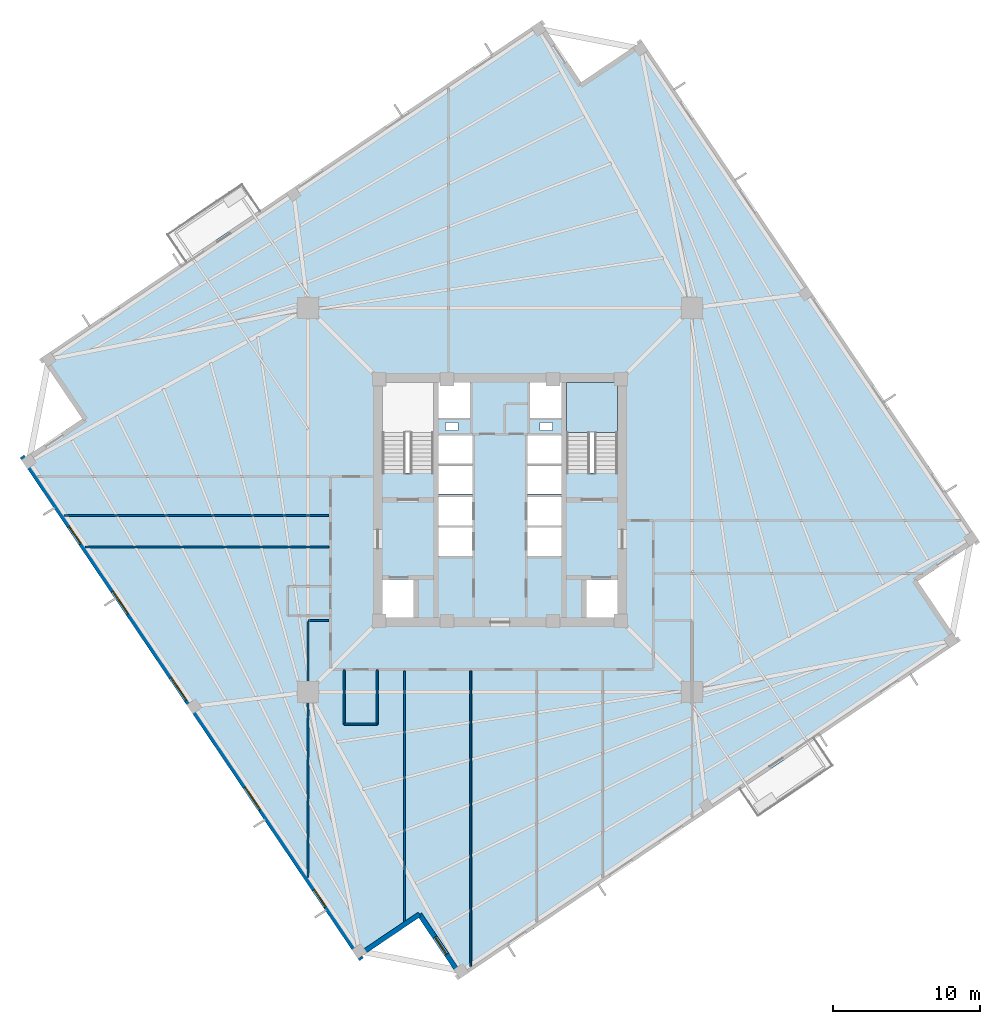
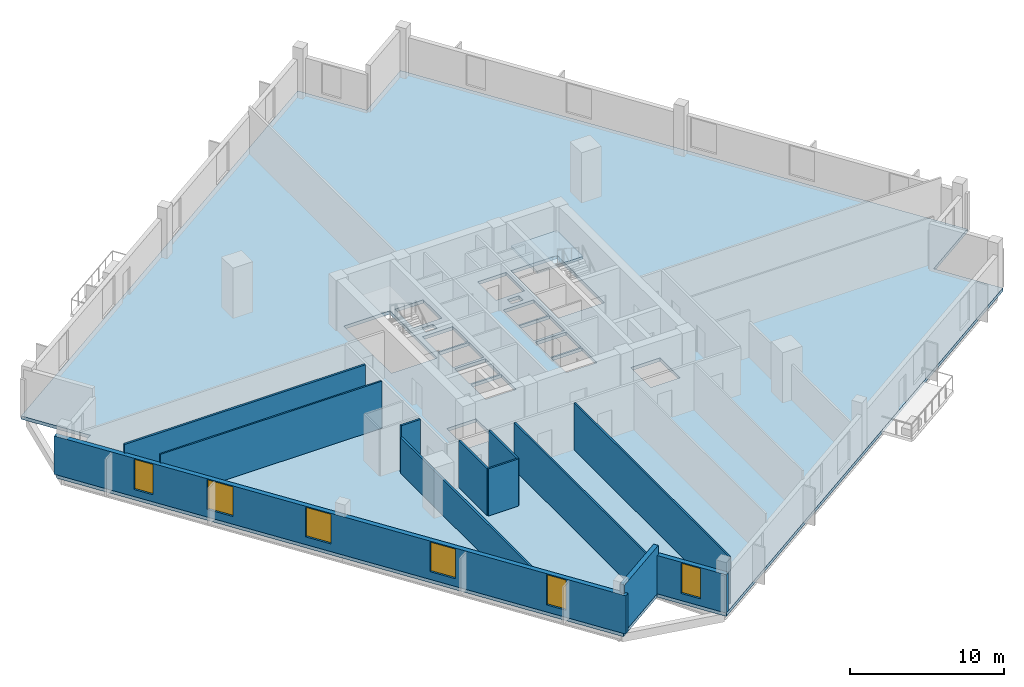
# One storey, part 2 of 9: 12 walls, 6 windows, 2 slabs, 6 openings, 1 element without a shape of its own.
"""IFC4 building model written with IfcOpenShell, lengths in metres."""

import ifcopenshell
import ifcopenshell.guid

model = None  # the IFC model being written
_history = None  # IfcOwnerHistory: only IFC2X3 demands one
_inside = {}  # id of a spatial element -> (the spatial element, [elements in it])
_under = {}  # id of a project, library or spatial element -> (it, [spatial elements below it])
_declared = {}  # id of a project -> (the project, [libraries it declares])
_typed = {}  # id of a type object -> (the type object, [elements of that type])
_made_of = {}  # id of a material, layer set ... -> (it, [elements and type objects made of it])


def new_model(schema):
    """Start an empty IFC model of exactly this schema.

    Asked for "IFC4X3", IfcOpenShell would pick the latest addendum, in which some entities
    have other attributes; the version numbers below select the first issue.
    IFC2X3 requires an IfcOwnerHistory on every rooted entity: one is made here for all.
    """
    global model, _history
    if schema == "IFC4X3":
        model = ifcopenshell.file(schema_version=(4, 3, 0, 0))
    else:
        model = ifcopenshell.file(schema=schema)
    _inside.clear()
    _under.clear()
    _declared.clear()
    _typed.clear()
    _made_of.clear()
    _history = None
    if model.schema == "IFC2X3":
        org = make("IfcOrganization", Name="unknown")
        user = make(
            "IfcPersonAndOrganization",
            ThePerson=make("IfcPerson", FamilyName="unknown"),
            TheOrganization=org,
        )
        app = make(
            "IfcApplication",
            ApplicationDeveloper=org,
            Version="unknown",
            ApplicationFullName="unknown",
            ApplicationIdentifier="unknown",
        )
        _history = make(
            "IfcOwnerHistory",
            OwningUser=user,
            OwningApplication=app,
            ChangeAction="ADDED",
            CreationDate=0,
        )
    return model


def make(cls, **values):
    """One entity of the class cls with the attributes given. An attribute that is None is left unset."""
    return model.create_entity(
        cls, **{name: value for name, value in values.items() if value is not None}
    )


def rooted(cls, **values):
    """An entity with a GlobalId (a new one), such as an element, a storey or a relation."""
    return make(cls, GlobalId=ifcopenshell.guid.new(), OwnerHistory=_history, **values)


def si_unit(unit_type, name, prefix=None):
    """IfcSIUnit, for example si_unit("LENGTHUNIT", "METRE", prefix="MILLI")."""
    return make("IfcSIUnit", UnitType=unit_type, Prefix=prefix, Name=name)


def assignment(units):
    """IfcUnitAssignment: the units of a project."""
    return None if units is None else make("IfcUnitAssignment", Units=units)


def point(xyz):
    """IfcCartesianPoint."""
    return None if xyz is None else make("IfcCartesianPoint", Coordinates=xyz)


def direction(xyz):
    """IfcDirection."""
    return None if xyz is None else make("IfcDirection", DirectionRatios=xyz)


def frame(location, z_axis=None, x_axis=None):
    """IfcAxis2Placement3D, a coordinate frame: its origin and axes. An axis left out is left unset."""
    return make(
        "IfcAxis2Placement3D",
        Location=point(location),
        Axis=direction(z_axis),
        RefDirection=direction(x_axis),
    )


def frame_2d(location, x_axis=None):
    """IfcAxis2Placement2D, a coordinate frame in the plane: its origin and x axis."""
    return make(
        "IfcAxis2Placement2D", Location=point(location), RefDirection=direction(x_axis)
    )


def origin():
    """The frame at (0, 0, 0) with its axes left unset."""
    return frame((0.0, 0.0, 0.0))


def place(relative_to, where):
    """IfcLocalPlacement: puts the frame where relative to a parent placement (None: the world)."""
    return make(
        "IfcLocalPlacement", PlacementRelTo=relative_to, RelativePlacement=where
    )


def context(
    kind, dimensions, precision=None, world=None, true_north=None, identifier=None
):
    """IfcGeometricRepresentationContext, for example the 3D "Model" context."""
    return make(
        "IfcGeometricRepresentationContext",
        ContextIdentifier=identifier,
        ContextType=kind,
        CoordinateSpaceDimension=dimensions,
        Precision=precision,
        WorldCoordinateSystem=world,
        TrueNorth=true_north,
    )


def subcontext(parent, identifier, kind, view, scale=None):
    """IfcGeometricRepresentationSubContext, for example "Body" below "Model"."""
    return make(
        "IfcGeometricRepresentationSubContext",
        ContextIdentifier=identifier,
        ContextType=kind,
        ParentContext=parent,
        TargetScale=scale,
        TargetView=view,
    )


def project(units=None, contexts=None):
    """IfcProject with its units and contexts."""
    return rooted(
        "IfcProject",
        Name="project",
        RepresentationContexts=contexts,
        UnitsInContext=assignment(units),
    )


def spatial(cls, under=None, at=None, **own):
    """A site, building, storey or space (cls), placed at a placement, below another one or the project."""
    s = rooted(cls, ObjectPlacement=at, **own)
    if under is not None:
        _under.setdefault(under.id(), (under, []))[1].append(s)
    return s


def polyline(points):
    """IfcPolyline through the points."""
    return make("IfcPolyline", Points=[point(p) for p in points])


def profile(cls, at=None, kind="AREA", **sizes):
    """A parametric profile (cls). Its sizes go by their IFC names, for example OverallWidth=200.0."""
    return make(cls, ProfileType=kind, Position=at, **sizes)


def rectangle(**sizes):
    """IfcRectangleProfileDef."""
    return profile("IfcRectangleProfileDef", **sizes)


def outline(outer, holes=None, kind="AREA"):
    """IfcArbitraryClosedProfileDef: a profile drawn as a closed curve; with holes, ...WithVoids."""
    if holes is None:
        return make("IfcArbitraryClosedProfileDef", ProfileType=kind, OuterCurve=outer)
    return make(
        "IfcArbitraryProfileDefWithVoids",
        ProfileType=kind,
        OuterCurve=outer,
        InnerCurves=holes,
    )


def extrude(swept, where, along, depth):
    """IfcExtrudedAreaSolid: the profile swept, set in the frame where, extruded along a direction by depth."""
    return make(
        "IfcExtrudedAreaSolid",
        SweptArea=swept,
        Position=where,
        ExtrudedDirection=direction(along),
        Depth=depth,
    )


def shape(context_of_items, identifier, shape_type, items):
    """IfcShapeRepresentation: the items that make up one representation, for example the "Body"."""
    return make(
        "IfcShapeRepresentation",
        ContextOfItems=context_of_items,
        RepresentationIdentifier=identifier,
        RepresentationType=shape_type,
        Items=items,
    )


def source(mapping_origin, context_of_items, identifier, shape_type, items):
    """IfcRepresentationMap: a shape defined once, which mapped items show again and again."""
    return make(
        "IfcRepresentationMap",
        MappingOrigin=mapping_origin,
        MappedRepresentation=shape(context_of_items, identifier, shape_type, items),
    )


def transform(
    local_origin,
    x_axis=None,
    y_axis=None,
    z_axis=None,
    scale=None,
    scale2=None,
    scale3=None,
    uniform=True,
):
    """IfcCartesianTransformationOperator3D, or its non-uniform kind. x_axis, y_axis, z_axis: its Axis1, 2, 3."""
    if uniform:
        return make(
            "IfcCartesianTransformationOperator3D",
            Axis1=direction(x_axis),
            Axis2=direction(y_axis),
            LocalOrigin=point(local_origin),
            Scale=scale,
            Axis3=direction(z_axis),
        )
    return make(
        "IfcCartesianTransformationOperator3DnonUniform",
        Axis1=direction(x_axis),
        Axis2=direction(y_axis),
        LocalOrigin=point(local_origin),
        Scale=scale,
        Axis3=direction(z_axis),
        Scale2=scale2,
        Scale3=scale3,
    )


def mapped(mapping_source, mapping_target):
    """IfcMappedItem: shows the shape of a source again, moved by a transform."""
    return make(
        "IfcMappedItem", MappingSource=mapping_source, MappingTarget=mapping_target
    )


def material(Name=None, Category=None):
    """IfcMaterial."""
    return make("IfcMaterial", Name=Name, Category=Category)


def layer(
    of_material, thickness, ventilated=None, Name=None, Category=None, Priority=None
):
    """IfcMaterialLayer: one layer of a wall or slab, of a material (None: an air gap)."""
    return make(
        "IfcMaterialLayer",
        Material=of_material,
        LayerThickness=thickness,
        IsVentilated=ventilated,
        Name=Name,
        Category=Category,
        Priority=Priority,
    )


def layer_set(layers, Name=None):
    """IfcMaterialLayerSet."""
    return make("IfcMaterialLayerSet", MaterialLayers=layers, LayerSetName=Name)


def made_of(thing, what):
    """Note that an element or type object is made of a material, layer set ...; save() writes the relation."""
    if what is not None:
        _made_of.setdefault(what.id(), (what, []))[1].append(thing)
    return thing


def type_object(cls, material=None, **own):
    """A type object (cls), such as IfcWallType, which elements share."""
    return made_of(rooted(cls, **own), material)


def element(
    cls,
    number,
    at=None,
    inside=None,
    cuts=None,
    type_object=None,
    material=None,
    context=None,
    identifier="Body",
    shape_type=None,
    held_by="IfcProductDefinitionShape",
    body=None,
    shapes=None,
    **own,
):
    """One element of the class cls, such as IfcWall. Its Tag is "e" and its number.

    at: its placement. inside: the storey or other place that contains it. cuts: it is an
    opening in that element (IfcRelVoidsElement). A single representation is given by context,
    identifier, shape_type and body (its items); several are given by shapes. held_by: the class
    of the entity that holds the representations. save() writes the other relations.
    """
    e = rooted(cls, Tag="e%d" % number, ObjectPlacement=at, **own)
    if body is not None:
        shapes = [shape(context, identifier, shape_type, body)]
    if shapes is not None:
        e.Representation = make(held_by, Representations=shapes)
    if inside is not None:
        _inside.setdefault(inside.id(), (inside, []))[1].append(e)
    if cuts is not None:
        rooted(
            "IfcRelVoidsElement", RelatingBuildingElement=cuts, RelatedOpeningElement=e
        )
    if type_object is not None:
        _typed.setdefault(type_object.id(), (type_object, []))[1].append(e)
    return made_of(e, material)


def fill(opening, filler):
    """IfcRelFillsElement: the door or window that sits in an opening."""
    return rooted(
        "IfcRelFillsElement",
        RelatingOpeningElement=opening,
        RelatedBuildingElement=filler,
    )


def aggregate(whole, parts):
    """IfcRelAggregates: a whole, such as a stair, and the parts it consists of."""
    return rooted("IfcRelAggregates", RelatingObject=whole, RelatedObjects=parts)


def save(model, path):
    """Write the relations noted so far, then the file.

    IfcRelAggregates (storeys below a building ...), IfcRelContainedInSpatialStructure (elements
    in a storey), IfcRelDefinesByType, IfcRelAssociatesMaterial and IfcRelDeclares: one each for
    every whole, place, type object, material and project.
    """
    for whole, parts in _under.values():
        aggregate(whole, parts)
    for where, things in _inside.values():
        rooted(
            "IfcRelContainedInSpatialStructure",
            RelatedElements=things,
            RelatingStructure=where,
        )
    for kind, things in _typed.values():
        rooted("IfcRelDefinesByType", RelatedObjects=things, RelatingType=kind)
    for what, things in _made_of.values():
        rooted("IfcRelAssociatesMaterial", RelatedObjects=things, RelatingMaterial=what)
    for by, libraries in _declared.values():
        rooted("IfcRelDeclares", RelatingContext=by, RelatedDefinitions=libraries)
    model.write(path)


model = new_model("IFC4")

# Units and contexts
model_context = context("Model", 3, precision=1e-05, world=origin(), true_north=direction((0.0, 1.0)))
body_context = subcontext(model_context, "Body", "Model", "MODEL_VIEW")
ifc_project = project(units=[si_unit("LENGTHUNIT", "METRE"), si_unit("AREAUNIT", "SQUARE_METRE"), si_unit("VOLUMEUNIT", "CUBIC_METRE"), si_unit("PLANEANGLEUNIT", "RADIAN"), si_unit("MASSUNIT", "GRAM", prefix="KILO"), si_unit("THERMODYNAMICTEMPERATUREUNIT", "KELVIN")], contexts=[model_context])

# Site, building, storey
site_placement = place(None, origin())
site = spatial("IfcSite", under=ifc_project, at=site_placement, CompositionType="ELEMENT")
building_placement = place(site_placement, origin())
building = spatial("IfcBuilding", under=site, at=building_placement, Name="Kosmvard Interchange Tower", CompositionType="ELEMENT")
storey_placement = place(building_placement, frame((0.0, 0.0, 160.39990234375)))
storey = spatial("IfcBuildingStorey", under=building, at=storey_placement, Name="L38", CompositionType="ELEMENT", Elevation=160.39990234375)

# Slab
ifc_material_1 = material(Name="Concrete C50/60", Category="concrete")
ifc_layer_1 = layer(ifc_material_1, 0.260009765625, Name="Concrete C50/60")
ifc_layer_set_1 = layer_set([ifc_layer_1], Name="Concrete C50/60")
slab_type_1 = type_object("IfcSlabType", Name="Mid-Rise Office Composite Slab 260 C50/60", PredefinedType="FLOOR", material=ifc_layer_set_1)
slab_1_placement = place(storey_placement, frame((0.0, 0.0, -0.260009765625)))
element("IfcSlab", 1, at=slab_1_placement, inside=storey, type_object=slab_type_1, Name="L38 Structural Floor Slab", PredefinedType="FLOOR", context=body_context, shape_type="SweptSolid", body=[
    extrude(outline(polyline([(-2.73583984375, -32.60400390625), (31.254638671875, -9.677001953125), (28.458740234375, -5.53173828125), (32.60400390625, -2.73583984375), (9.677001953125, 31.254638671875), (5.53173828125, 28.458740234375), (2.73583984375, 32.60400390625), (-31.254638671875, 9.677001953125), (-28.458740234375, 5.53173828125), (-32.60400390625, 2.73583984375), (-9.677001953125, -31.254638671875), (-5.53173828125, -28.458740234375), (-2.73583984375, -32.60400390625)]), holes=[polyline([(-8.0, 1.8349609375), (-4.5400390625, 1.8349609375), (-4.5400390625, 8.0), (-8.0, 8.0), (-8.0, 1.8349609375)]), polyline([(4.5400390625, 1.8349609375), (8.0, 1.8349609375), (8.0, 8.0), (4.5400390625, 8.0), (4.5400390625, 1.8349609375)]), polyline([(-8.0, -8.0), (-5.800048828125, -8.0), (-5.800048828125, -5.39990234375), (-8.0, -5.39990234375), (-8.0, -8.0)]), polyline([(5.800048828125, -8.0), (8.0, -8.0), (8.0, -5.39990234375), (5.800048828125, -5.39990234375), (5.800048828125, -8.0)]), polyline([(-4.179931640625, -3.800048828125), (-1.8798828125, -3.800048828125), (-1.8798828125, -1.860107421875), (-4.179931640625, -1.860107421875), (-4.179931640625, -3.800048828125)]), polyline([(-4.179931640625, -1.739990234375), (-1.8798828125, -1.739990234375), (-1.8798828125, 0.199951171875), (-4.179931640625, 0.199951171875), (-4.179931640625, -1.739990234375)]), polyline([(1.8798828125, -3.800048828125), (4.179931640625, -3.800048828125), (4.179931640625, -1.860107421875), (1.8798828125, -1.860107421875), (1.8798828125, -3.800048828125)]), polyline([(1.8798828125, -1.739990234375), (4.179931640625, -1.739990234375), (4.179931640625, 0.199951171875), (1.8798828125, 0.199951171875), (1.8798828125, -1.739990234375)]), polyline([(-4.179931640625, 0.39990234375), (-1.8798828125, 0.39990234375), (-1.8798828125, 2.340087890625), (-4.179931640625, 2.340087890625), (-4.179931640625, 0.39990234375)]), polyline([(-4.179931640625, 2.4599609375), (-1.8798828125, 2.4599609375), (-1.8798828125, 4.39990234375), (-4.179931640625, 4.39990234375), (-4.179931640625, 2.4599609375)]), polyline([(1.8798828125, 0.39990234375), (4.179931640625, 0.39990234375), (4.179931640625, 2.340087890625), (1.8798828125, 2.340087890625), (1.8798828125, 0.39990234375)]), polyline([(1.8798828125, 2.4599609375), (4.179931640625, 2.4599609375), (4.179931640625, 4.39990234375), (1.8798828125, 4.39990234375), (1.8798828125, 2.4599609375)]), polyline([(-4.179931640625, 5.60009765625), (-2.0400390625, 5.60009765625), (-2.0400390625, 8.0), (-4.179931640625, 8.0), (-4.179931640625, 5.60009765625)]), polyline([(2.0400390625, 5.60009765625), (4.179931640625, 5.60009765625), (4.179931640625, 8.0), (2.0400390625, 8.0), (2.0400390625, 5.60009765625)]), polyline([(-3.715087890625, 4.739990234375), (-2.864990234375, 4.739990234375), (-2.864990234375, 5.2900390625), (-3.715087890625, 5.2900390625), (-3.715087890625, 4.739990234375)]), polyline([(2.715087890625, 4.739990234375), (3.56494140625, 4.739990234375), (3.56494140625, 5.2900390625), (2.715087890625, 5.2900390625), (2.715087890625, 4.739990234375)])]), origin(), (0.0, 0.0, 1.0), 0.260009765625),
])

# Stair, slab
stair_type = type_object("IfcStairType", Name="Dog-Leg Core Exit Stair H4000 C50/60", PredefinedType="HALF_TURN_STAIR", material=ifc_material_1)
stair_placement = place(storey_placement, origin())
stair = element("IfcStair", 2, at=stair_placement, inside=storey, type_object=stair_type, Name="L38 Protected Exit Stair ST-2", PredefinedType="HALF_TURN_STAIR")
ifc_layer_2 = layer(ifc_material_1, 0.199951171875, Name="Concrete C50/60")
ifc_layer_set_2 = layer_set([ifc_layer_2], Name="Concrete C50/60")
slab_type_2 = type_object("IfcSlabType", Name="Stair Half-Landing Slab 200 C50/60", PredefinedType="LANDING", material=ifc_layer_set_2)
slab_2_placement = place(storey_placement, frame((0.0, 0.0, 1.800048828125)))
slab_2 = element("IfcSlab", 3, at=slab_2_placement, type_object=slab_type_2, Name="ST-2 landing 1", PredefinedType="LANDING", context=body_context, shape_type="SweptSolid", body=[
    extrude(outline(polyline([(8.0, 4.60009765625), (8.0, 8.0), (4.5400390625, 8.0), (4.5400390625, 4.60009765625), (8.0, 4.60009765625)])), origin(), (0.0, 0.0, 1.0), 0.199951171875),
])
aggregate(stair, [slab_2])

# Walls
ifc_material_2 = material(Name="Acoustic gypsum partition system")
ifc_layer_3 = layer(ifc_material_2, 0.14990234375, Name="Acoustic gypsum partition system")
ifc_layer_set_3 = layer_set([ifc_layer_3], Name="Acoustic gypsum partition system")
wall_type_1 = type_object("IfcWallType", Name="Acoustic Suite & Meeting Partition 150", PredefinedType="PARTITIONING", material=ifc_layer_set_3)
wall_1_placement = place(storey_placement, frame((-29.718505859375, -1.050048828125, 0.0), z_axis=(0.0, 0.0, 1.0), x_axis=(1.0, 0.0, 0.0)))
element("IfcWall", 4, at=wall_1_placement, inside=storey, type_object=wall_type_1, Name="L38 Room Partition 02.1", PredefinedType="PARTITIONING", context=body_context, shape_type="SweptSolid", body=[
    extrude(rectangle(XDim=18.073486328125, YDim=0.14990234375, at=frame_2d((9.03662109375, 0.0))), origin(), (0.0, 0.0, 1.0), 3.739990234375),
])
wall_2_placement = place(storey_placement, frame((-11.64501953125, -8.199951171875, 0.0), z_axis=(0.0, 0.0, 1.0), x_axis=(-1.0, 0.0, 0.0)))
element("IfcWall", 5, at=wall_2_placement, inside=storey, type_object=wall_type_1, Name="L38 Room Partition 05.1", PredefinedType="PARTITIONING", context=body_context, shape_type="SweptSolid", body=[
    extrude(rectangle(XDim=1.43603515625, YDim=0.14990234375, at=frame_2d((0.718017578125, 0.0))), origin(), (0.0, 0.0, 1.0), 3.739990234375),
])
wall_3_placement = place(storey_placement, frame((-13.0810546875, -8.27490234375, 0.0), z_axis=(0.0, 0.0, 1.0), x_axis=(0.0, -1.0, 0.0)))
element("IfcWall", 6, at=wall_3_placement, inside=storey, type_object=wall_type_1, Name="L38 Room Partition 06.1", PredefinedType="PARTITIONING", context=body_context, shape_type="SweptSolid", body=[
    extrude(rectangle(XDim=17.44140625, YDim=0.14990234375, at=frame_2d((8.720703125, 0.0))), origin(), (0.0, 0.0, 1.0), 2.840087890625),
])

# Wall, openings, windows
ifc_material_3 = material(Name="Precast concrete C45/55", Category="concrete")
ifc_layer_4 = layer(ifc_material_3, 0.340087890625, Name="Precast concrete C45/55")
ifc_layer_set_4 = layer_set([ifc_layer_4], Name="Precast concrete C45/55")
wall_type_2 = type_object("IfcWallType", Name="Mid Tower Precast Pier Wall 340 C45/55", PredefinedType="STANDARD", material=ifc_layer_set_4)
wall_4_placement = place(storey_placement, frame((-32.55810546875, 2.971923828125, 0.0), z_axis=(0.0, 0.0, 1.0), x_axis=(0.559194910251, -0.829036218961, 0.0)))
wall_4 = element("IfcWall", 7, at=wall_4_placement, inside=storey, type_object=wall_type_2, Name="L38 Precast Facade Wall F-W", PredefinedType="STANDARD", context=body_context, shape_type="SweptSolid", body=[
    extrude(rectangle(XDim=41.340087890625, YDim=0.340087890625, at=frame_2d((20.669921875, 0.0))), origin(), (0.0, 0.0, 1.0), 3.0400390625),
])
opening_1_placement = place(wall_4_placement, frame((5.7607421875, 0.0, 0.56005859375)))
opening_1 = element("IfcOpeningElement", 8, at=opening_1_placement, cuts=wall_4, Name="Opening L38-W16", PredefinedType="OPENING", context=body_context, shape_type="SweptSolid", body=[
    extrude(rectangle(XDim=1.39990234375, YDim=2.39990234375, at=frame_2d((0.699951171875, 1.199951171875))), frame((0.0, 0.18017578125, 0.0), z_axis=(0.0, -1.0, 0.0), x_axis=(1.0, 0.0, 0.0)), (0.0, 0.0, 1.0), 0.360107421875),
])
opening_2_placement = place(wall_4_placement, frame((11.063720703125, 0.0, 0.610107421875)))
opening_2 = element("IfcOpeningElement", 9, at=opening_2_placement, cuts=wall_4, Name="Opening L38-W17", PredefinedType="OPENING", context=body_context, shape_type="SweptSolid", body=[
    extrude(rectangle(XDim=1.85009765625, YDim=2.35009765625, at=frame_2d((0.925048828125, 1.175048828125))), frame((0.0, 0.18017578125, 0.0), z_axis=(0.0, -1.0, 0.0), x_axis=(1.0, 0.0, 0.0)), (0.0, 0.0, 1.0), 0.360107421875),
])
opening_3_placement = place(wall_4_placement, frame((18.168212890625, 0.0, 0.610107421875)))
opening_3 = element("IfcOpeningElement", 10, at=opening_3_placement, cuts=wall_4, Name="Opening L38-W18", PredefinedType="OPENING", context=body_context, shape_type="SweptSolid", body=[
    extrude(rectangle(XDim=1.85009765625, YDim=2.35009765625, at=frame_2d((0.925048828125, 1.175048828125))), frame((0.0, 0.18017578125, 0.0), z_axis=(0.0, -1.0, 0.0), x_axis=(1.0, 0.0, 0.0)), (0.0, 0.0, 1.0), 0.360107421875),
])
opening_4_placement = place(wall_4_placement, frame((27.186279296875, 0.0, 0.610107421875)))
opening_4 = element("IfcOpeningElement", 11, at=opening_4_placement, cuts=wall_4, Name="Opening L38-W19", PredefinedType="OPENING", context=body_context, shape_type="SweptSolid", body=[
    extrude(rectangle(XDim=1.85009765625, YDim=2.35009765625, at=frame_2d((0.925048828125, 1.175048828125))), frame((0.0, 0.18017578125, 0.0), z_axis=(0.0, -1.0, 0.0), x_axis=(1.0, 0.0, 0.0)), (0.0, 0.0, 1.0), 0.360107421875),
])
opening_5_placement = place(wall_4_placement, frame((35.602294921875, 0.0, 0.56005859375)))
opening_5 = element("IfcOpeningElement", 12, at=opening_5_placement, cuts=wall_4, Name="Opening L38-W20", PredefinedType="OPENING", context=body_context, shape_type="SweptSolid", body=[
    extrude(rectangle(XDim=1.39990234375, YDim=2.39990234375, at=frame_2d((0.699951171875, 1.199951171875))), frame((0.0, 0.18017578125, 0.0), z_axis=(0.0, -1.0, 0.0), x_axis=(1.0, 0.0, 0.0)), (0.0, 0.0, 1.0), 0.360107421875),
])
ifc_material_4 = material(Name="Low-E solar-control double glazing", Category="glass")
window_type_1 = type_object("IfcWindowType", Name="Notched Corner Feature Window 1400x2400", PartitioningType="SINGLE_PANEL", PredefinedType="WINDOW", material=ifc_material_4)
shared_shape_1 = source(origin(), body_context, "Body", "SweptSolid", [
    extrude(rectangle(XDim=1.39990234375, YDim=2.39990234375, at=frame_2d((0.699951171875, 1.199951171875))), frame((0.0, 0.030029296875, 0.0), z_axis=(0.0, -1.0, 0.0), x_axis=(1.0, 0.0, 0.0)), (0.0, 0.0, 1.0), 0.06005859375),
])
window_1_placement = place(opening_1_placement, origin())
window_1 = element("IfcWindow", 13, at=window_1_placement, inside=storey, type_object=window_type_1, Name="L38 Facade Punched Window 16", OverallHeight=2.39990234375, OverallWidth=1.39990234375, PartitioningType="SINGLE_PANEL", PredefinedType="WINDOW", context=body_context, shape_type="MappedRepresentation", body=[
    mapped(shared_shape_1, transform((0.0, 0.0, 0.0), scale=1.0)),
])
fill(opening_1, window_1)
window_2_placement = place(opening_5_placement, origin())
window_2 = element("IfcWindow", 14, at=window_2_placement, inside=storey, type_object=window_type_1, Name="L38 Facade Punched Window 20", OverallHeight=2.39990234375, OverallWidth=1.39990234375, PartitioningType="SINGLE_PANEL", PredefinedType="WINDOW", context=body_context, shape_type="MappedRepresentation", body=[
    mapped(shared_shape_1, transform((0.0, 0.0, 0.0), scale=1.0)),
])
fill(opening_5, window_2)
window_type_2 = type_object("IfcWindowType", Name="Zone 3 Office Punched Window 1850x2350", PartitioningType="SINGLE_PANEL", PredefinedType="WINDOW", material=ifc_material_4)
shared_shape_2 = source(origin(), body_context, "Body", "SweptSolid", [
    extrude(rectangle(XDim=1.85009765625, YDim=2.35009765625, at=frame_2d((0.925048828125, 1.175048828125))), frame((0.0, 0.030029296875, 0.0), z_axis=(0.0, -1.0, 0.0), x_axis=(1.0, 0.0, 0.0)), (0.0, 0.0, 1.0), 0.06005859375),
])
window_3_placement = place(opening_2_placement, origin())
window_3 = element("IfcWindow", 15, at=window_3_placement, inside=storey, type_object=window_type_2, Name="L38 Facade Punched Window 17", OverallHeight=2.35009765625, OverallWidth=1.85009765625, PartitioningType="SINGLE_PANEL", PredefinedType="WINDOW", context=body_context, shape_type="MappedRepresentation", body=[
    mapped(shared_shape_2, transform((0.0, 0.0, 0.0), scale=1.0)),
])
fill(opening_2, window_3)
window_4_placement = place(opening_3_placement, origin())
window_4 = element("IfcWindow", 16, at=window_4_placement, inside=storey, type_object=window_type_2, Name="L38 Facade Punched Window 18", OverallHeight=2.35009765625, OverallWidth=1.85009765625, PartitioningType="SINGLE_PANEL", PredefinedType="WINDOW", context=body_context, shape_type="MappedRepresentation", body=[
    mapped(shared_shape_2, transform((0.0, 0.0, 0.0), scale=1.0)),
])
fill(opening_3, window_4)
window_5_placement = place(opening_4_placement, origin())
window_5 = element("IfcWindow", 17, at=window_5_placement, inside=storey, type_object=window_type_2, Name="L38 Facade Punched Window 19", OverallHeight=2.35009765625, OverallWidth=1.85009765625, PartitioningType="SINGLE_PANEL", PredefinedType="WINDOW", context=body_context, shape_type="MappedRepresentation", body=[
    mapped(shared_shape_2, transform((0.0, 0.0, 0.0), scale=1.0)),
])
fill(opening_4, window_5)

# Wall
wall_5_placement = place(storey_placement, frame((-9.631103515625, -31.018798828125, 0.0), z_axis=(0.0, 0.0, 1.0), x_axis=(0.829025804298, 0.559210350234, 0.0)))
element("IfcWall", 18, at=wall_5_placement, inside=storey, type_object=wall_type_2, Name="L38 Precast Facade Wall N-SW1", PredefinedType="STANDARD", context=body_context, shape_type="SweptSolid", body=[
    extrude(rectangle(XDim=5.000244140625, YDim=0.340087890625, at=frame_2d((2.5, 0.0))), origin(), (0.0, 0.0, 1.0), 3.739990234375),
])

# Wall, opening, window
wall_6_placement = place(storey_placement, frame((-5.48583984375, -28.22265625, 0.0), z_axis=(0.0, 0.0, 1.0), x_axis=(0.559171107879, -0.82905227345, 0.0)))
wall_6 = element("IfcWall", 19, at=wall_6_placement, inside=storey, type_object=wall_type_2, Name="L38 Precast Facade Wall N-SW2", PredefinedType="STANDARD", context=body_context, shape_type="SweptSolid", body=[
    extrude(rectangle(XDim=5.169921875, YDim=0.340087890625, at=frame_2d((2.5849609375, 0.0))), origin(), (0.0, 0.0, 1.0), 3.0400390625),
])
opening_6_placement = place(wall_6_placement, frame((1.885009765625, 0.0, 0.56005859375)))
opening_6 = element("IfcOpeningElement", 20, at=opening_6_placement, cuts=wall_6, Name="Opening L38-W24", PredefinedType="OPENING", context=body_context, shape_type="SweptSolid", body=[
    extrude(rectangle(XDim=1.39990234375, YDim=2.39990234375, at=frame_2d((0.699951171875, 1.199951171875))), frame((0.0, 0.18017578125, 0.0), z_axis=(0.0, -1.0, 0.0), x_axis=(1.0, 0.0, 0.0)), (0.0, 0.0, 1.0), 0.360107421875),
])
window_6_placement = place(opening_6_placement, origin())
window_6 = element("IfcWindow", 21, at=window_6_placement, inside=storey, type_object=window_type_1, Name="L38 Corner Notch Window 24", OverallHeight=2.39990234375, OverallWidth=1.39990234375, PartitioningType="SINGLE_PANEL", PredefinedType="WINDOW", context=body_context, shape_type="MappedRepresentation", body=[
    mapped(shared_shape_1, transform((0.0, 0.0, 0.0), scale=1.0)),
])
fill(opening_6, window_6)

# Walls
ifc_material_5 = material(Name="Gypsum board partition system")
ifc_layer_5 = layer(ifc_material_5, 0.1201171875, Name="Gypsum board partition system")
ifc_layer_set_5 = layer_set([ifc_layer_5], Name="Gypsum board partition system")
wall_type_3 = type_object("IfcWallType", Name="Office Cellular Partition 120", PredefinedType="PARTITIONING", material=ifc_layer_set_5)
wall_7_placement = place(storey_placement, frame((-28.268310546875, -3.199951171875, 0.0), z_axis=(0.0, 0.0, 1.0), x_axis=(1.0, 0.0, 0.0)))
element("IfcWall", 22, at=wall_7_placement, inside=storey, type_object=wall_type_3, Name="L38 Room Partition 07.1", PredefinedType="PARTITIONING", context=body_context, shape_type="SweptSolid", body=[
    extrude(rectangle(XDim=16.623291015625, YDim=0.1201171875, at=frame_2d((8.3115234375, 0.0))), origin(), (0.0, 0.0, 1.0), 3.739990234375),
])
wall_8_placement = place(storey_placement, frame((-6.5, -28.780029296875, 0.0), z_axis=(0.0, 0.0, 1.0), x_axis=(0.0, 1.0, 0.0)))
element("IfcWall", 23, at=wall_8_placement, inside=storey, type_object=wall_type_3, Name="L38 Room Partition 08.1", PredefinedType="PARTITIONING", context=body_context, shape_type="SweptSolid", body=[
    extrude(rectangle(XDim=17.135009765625, YDim=0.1201171875, at=frame_2d((8.5673828125, 0.0))), origin(), (0.0, 0.0, 1.0), 3.739990234375),
])
wall_9_placement = place(storey_placement, frame((-2.0, -31.77587890625, 0.0), z_axis=(0.0, 0.0, 1.0), x_axis=(0.0, 1.0, 0.0)))
element("IfcWall", 24, at=wall_9_placement, inside=storey, type_object=wall_type_3, Name="L38 Room Partition 09.1", PredefinedType="PARTITIONING", context=body_context, shape_type="SweptSolid", body=[
    extrude(rectangle(XDim=20.130859375, YDim=0.1201171875, at=frame_2d((10.0654296875, 0.0))), origin(), (0.0, 0.0, 1.0), 3.739990234375),
])
ifc_material_6 = material(Name="Moisture-resistant gypsum partition")
ifc_layer_6 = layer(ifc_material_6, 0.135009765625, Name="Moisture-resistant gypsum partition")
ifc_layer_set_6 = layer_set([ifc_layer_6], Name="Moisture-resistant gypsum partition")
wall_type_4 = type_object("IfcWallType", Name="Wet Room Moisture-Resistant Partition 135", PredefinedType="PARTITIONING", material=ifc_layer_set_6)
wall_10_placement = place(storey_placement, frame((-10.6201171875, -15.27001953125, 0.0), z_axis=(0.0, 0.0, 1.0), x_axis=(1.0, 0.0, 0.0)))
element("IfcWall", 25, at=wall_10_placement, inside=storey, type_object=wall_type_4, Name="L38 Washroom Partition WC1-S", PredefinedType="PARTITIONING", context=body_context, shape_type="SweptSolid", body=[
    extrude(rectangle(XDim=2.25, YDim=0.135009765625, at=frame_2d((1.125, 0.0))), origin(), (0.0, 0.0, 1.0), 3.739990234375),
])
for number, where, z_axis, x_axis, name in (
    (26, (-8.3701171875, -15.27001953125, 0.0), (0.0, 0.0, 1.0), (0.0, 1.0, 0.0), "L38 Washroom Partition WC1-E"),
    (27, (-10.6201171875, -15.27001953125, 0.0), (0.0, 0.0, 1.0), (0.0, 1.0, 0.0), "L38 Washroom Partition WC1-W"),
):
    element("IfcWall", number, at=place(storey_placement, frame(where, z_axis=z_axis, x_axis=x_axis)), inside=storey, type_object=wall_type_4, Name=name, PredefinedType="PARTITIONING", context=body_context, shape_type="SweptSolid", body=[
        extrude(rectangle(XDim=3.699951171875, YDim=0.135009765625, at=frame_2d((1.85009765625, 0.0))), origin(), (0.0, 0.0, 1.0), 3.739990234375),
    ])

save(model, "model.ifc")
